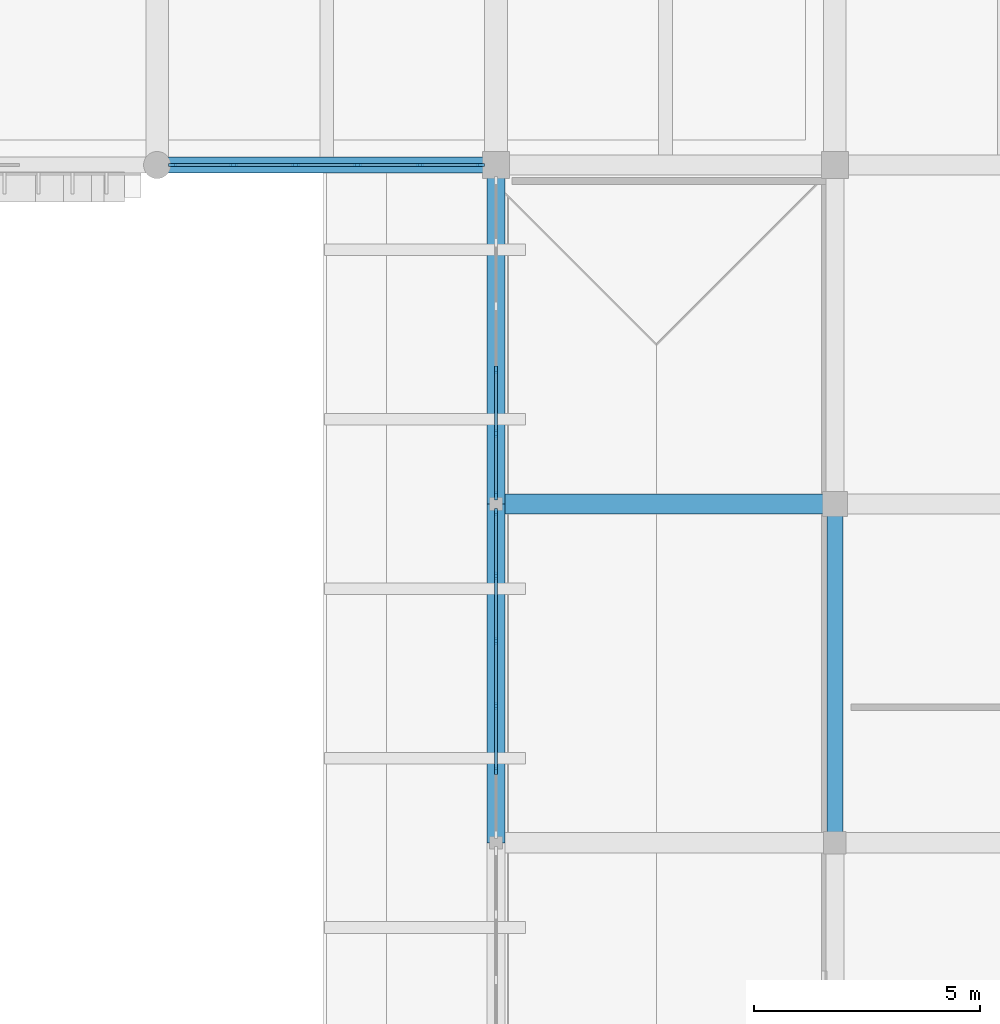
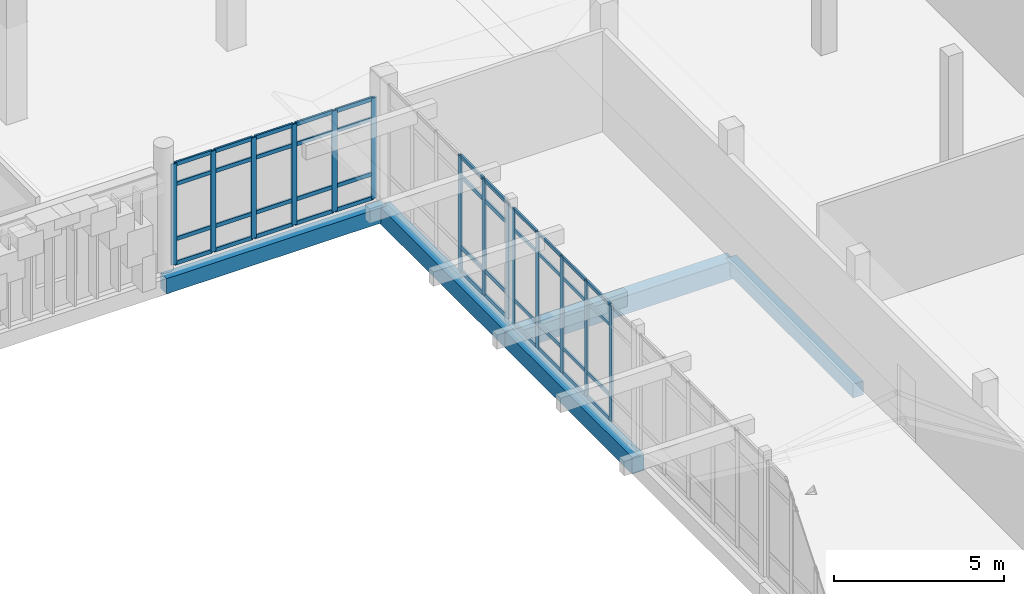
# One storey, part 65 of 128: 58 members, 5 beams, 3 elements without a shape of their own.
"""IFC4 building model written with IfcOpenShell, lengths in metres."""

from ifc_helpers import new_model, si_unit, direction, frame, origin, origin_2d, place, context, subcontext, project, spatial, rectangle, extrude, material, layer, layer_set, material_profile, profile_set, type_object, element, aggregate, save


model = new_model("IFC4")

# Units and contexts
model_context = context("Model", 3, precision=1e-05, world=origin(), true_north=direction((0.0, 1.0)))
body_context = subcontext(model_context, "Body", "Model", "MODEL_VIEW")
ifc_project = project(units=[si_unit("LENGTHUNIT", "METRE"), si_unit("AREAUNIT", "SQUARE_METRE"), si_unit("VOLUMEUNIT", "CUBIC_METRE"), si_unit("PLANEANGLEUNIT", "RADIAN"), si_unit("MASSUNIT", "GRAM", prefix="KILO")], contexts=[model_context])

# Site, building, storey
site_placement = place(None, origin())
site = spatial("IfcSite", under=ifc_project, at=site_placement, CompositionType="ELEMENT")
building_placement = place(site_placement, origin())
building = spatial("IfcBuilding", under=site, at=building_placement, Name="Dalvernix Boulevard General Hospital", CompositionType="ELEMENT")
storey_placement = place(building_placement, frame((0.0, 0.0, 4.800048828125)))
storey = spatial("IfcBuildingStorey", under=building, at=storey_placement, Name="L01", CompositionType="ELEMENT", Elevation=4.800048828125)

# Beams
ifc_material_1 = material(Name="Concrete C35/45", Category="concrete")
ifc_material_profile_1 = material_profile(ifc_material_1, rectangle(XDim=0.449951171875, YDim=0.64990234375, at=origin_2d()), Name="RCB 450x650")
ifc_profile_set_1 = profile_set([ifc_material_profile_1], Name="Concrete C35/45")
beam_type_1 = type_object("IfcBeamType", Name="BM-B-03-I", PredefinedType="BEAM", material=ifc_profile_set_1)
beam_1_placement = place(storey_placement, frame((135.0, 69.0, -0.625), z_axis=(1.0, 0.0, 0.0), x_axis=(0.0, 1.0, 0.0)))
element("IfcBeam", 1, at=beam_1_placement, inside=storey, type_object=beam_type_1, Name="L01 E-W girder K:19-20", PredefinedType="BEAM", context=body_context, shape_type="SweptSolid", body=[
    extrude(rectangle(XDim=0.449951171875, YDim=0.64990234375, at=origin_2d()), origin(), (0.0, 0.0, 1.0), 7.5),
])
ifc_material_profile_2 = material_profile(ifc_material_1, rectangle(XDim=0.35009765625, YDim=0.5, at=origin_2d()), Name="RCB 350x500")
ifc_profile_set_2 = profile_set([ifc_material_profile_2], Name="Concrete C35/45")
beam_type_2 = type_object("IfcBeamType", Name="BM-B-08-I", PredefinedType="BEAM", material=ifc_profile_set_2)
beam_2_placement = place(storey_placement, frame((142.5, 61.5, -0.550048828125), z_axis=(0.0, 1.0, 0.0), x_axis=(-1.0, 0.0, 0.0)))
element("IfcBeam", 2, at=beam_2_placement, inside=storey, type_object=beam_type_2, Name="L01 N-S girder 20:J-K", PredefinedType="BEAM", context=body_context, shape_type="SweptSolid", body=[
    extrude(rectangle(XDim=0.35009765625, YDim=0.5, at=origin_2d()), origin(), (0.0, 0.0, 1.0), 7.5),
])
ifc_material_profile_3 = material_profile(ifc_material_1, rectangle(XDim=0.35009765625, YDim=0.550048828125, at=origin_2d()), Name="RCB 350x550")
ifc_profile_set_3 = profile_set([ifc_material_profile_3], Name="Concrete C35/45")
beam_type_3 = type_object("IfcBeamType", Name="BM-SB-01-E", PredefinedType="SPANDREL", material=ifc_profile_set_3)
beam_3_placement = place(storey_placement, frame((127.5, 76.5, -0.574951171875), z_axis=(1.0, 0.0, 0.0), x_axis=(0.0, 1.0, 0.0)))
element("IfcBeam", 3, at=beam_3_placement, inside=storey, type_object=beam_type_3, Name="L01 E-W girder L:18-19", PredefinedType="SPANDREL", context=body_context, shape_type="SweptSolid", body=[
    extrude(rectangle(XDim=0.35009765625, YDim=0.550048828125, at=origin_2d()), origin(), (0.0, 0.0, 1.0), 7.5),
])
ifc_material_profile_4 = material_profile(ifc_material_1, rectangle(XDim=0.39990234375, YDim=0.60009765625, at=origin_2d()), Name="RCB 400x600")
ifc_profile_set_4 = profile_set([ifc_material_profile_4], Name="Concrete C35/45")
beam_type_4 = type_object("IfcBeamType", Name="BM-SB-02-E", PredefinedType="SPANDREL", material=ifc_profile_set_4)
for number, where, z_axis, x_axis, name in (
    (4, (135.0, 61.5, -0.60009765625), (0.0, 1.0, 0.0), (-1.0, 0.0, 0.0), "L01 N-S girder 19:J-K"),
    (5, (135.0, 69.0, -0.60009765625), (0.0, 1.0, 0.0), (-1.0, 0.0, 0.0), "L01 N-S girder 19:K-L"),
):
    element("IfcBeam", number, at=place(storey_placement, frame(where, z_axis=z_axis, x_axis=x_axis)), inside=storey, type_object=beam_type_4, Name=name, PredefinedType="SPANDREL", context=body_context, shape_type="SweptSolid", body=[
        extrude(rectangle(XDim=0.39990234375, YDim=0.60009765625, at=origin_2d()), origin(), (0.0, 0.0, 1.0), 7.5),
    ])

# Curtain wall, members
ifc_material_2 = material(Name="Thermally broken aluminium and solar-control glass curtain wall", Category="aluminium")
ifc_layer_1 = layer(ifc_material_2, 0.159912109375)
ifc_layer_set_1 = layer_set([ifc_layer_1], Name="Thermally broken aluminium and solar-control glass curtain wall (CW-CW-A-72x42)")
curtain_wall_type_1 = type_object("IfcCurtainWallType", Name="CW-CW-A-72x42", PredefinedType="USERDEFINED", material=ifc_layer_set_1)
curtain_wall_1_placement = place(storey_placement, origin())
curtain_wall_1 = element("IfcCurtainWall", 6, at=curtain_wall_1_placement, inside=storey, type_object=curtain_wall_type_1, Name="L01 curtain wall CW-A-72x42 18-8", ObjectType="GLAZED FACADE", PredefinedType="USERDEFINED")
ifc_material_3 = material(Name="Aluminium EN AW-6060", Category="aluminium")
ifc_material_profile_5 = material_profile(ifc_material_3, rectangle(XDim=0.06005859375, YDim=0.159912109375, at=origin_2d()), Name="ALU MULL 60x160")
ifc_profile_set_5 = profile_set([ifc_material_profile_5], Name="Aluminium EN AW-6060")
member_type_1 = type_object("IfcMemberType", Name="MEM-CW-M1", PredefinedType="MULLION", material=ifc_profile_set_5)
member_1_placement = place(storey_placement, frame((135.0, 63.090087890625, 0.0), z_axis=(0.0, 0.0, 1.0), x_axis=(-1.0, 0.0, 0.0)))
member_1 = element("IfcMember", 7, at=member_1_placement, type_object=member_type_1, Name="CW-A-72x42 mullion 2", PredefinedType="MULLION", context=body_context, shape_type="SweptSolid", body=[
    extrude(rectangle(XDim=0.06005859375, YDim=0.159912109375, at=origin_2d()), origin(), (0.0, 0.0, 1.0), 4.179931640625),
])
member_2_placement = place(storey_placement, frame((135.0, 64.530029296875, 0.0), z_axis=(0.0, 0.0, 1.0), x_axis=(-1.0, 0.0, 0.0)))
member_2 = element("IfcMember", 8, at=member_2_placement, type_object=member_type_1, Name="CW-A-72x42 mullion 3", PredefinedType="MULLION", context=body_context, shape_type="SweptSolid", body=[
    extrude(rectangle(XDim=0.06005859375, YDim=0.159912109375, at=origin_2d()), origin(), (0.0, 0.0, 1.0), 4.179931640625),
])
member_3_placement = place(storey_placement, frame((135.0, 65.969970703125, 0.0), z_axis=(0.0, 0.0, 1.0), x_axis=(-1.0, 0.0, 0.0)))
member_3 = element("IfcMember", 9, at=member_3_placement, type_object=member_type_1, Name="CW-A-72x42 mullion 4", PredefinedType="MULLION", context=body_context, shape_type="SweptSolid", body=[
    extrude(rectangle(XDim=0.06005859375, YDim=0.159912109375, at=origin_2d()), origin(), (0.0, 0.0, 1.0), 4.179931640625),
])
member_4_placement = place(storey_placement, frame((135.0, 67.409912109375, 0.0), z_axis=(0.0, 0.0, 1.0), x_axis=(-1.0, 0.0, 0.0)))
member_4 = element("IfcMember", 10, at=member_4_placement, type_object=member_type_1, Name="CW-A-72x42 mullion 5", PredefinedType="MULLION", context=body_context, shape_type="SweptSolid", body=[
    extrude(rectangle(XDim=0.06005859375, YDim=0.159912109375, at=origin_2d()), origin(), (0.0, 0.0, 1.0), 4.179931640625),
])
member_5_placement = place(storey_placement, frame((135.0, 68.820068359375, 0.0), z_axis=(0.0, 0.0, 1.0), x_axis=(-1.0, 0.0, 0.0)))
member_5 = element("IfcMember", 11, at=member_5_placement, type_object=member_type_1, Name="CW-A-72x42 mullion 6", PredefinedType="MULLION", context=body_context, shape_type="SweptSolid", body=[
    extrude(rectangle(XDim=0.06005859375, YDim=0.159912109375, at=origin_2d()), origin(), (0.0, 0.0, 1.0), 4.179931640625),
])

ifc_layer_2 = layer(ifc_material_2, 0.179931640625)
ifc_layer_set_2 = layer_set([ifc_layer_2], Name="Thermally broken aluminium and solar-control glass curtain wall (CW-CW-B-69x36)")
curtain_wall_type_2 = type_object("IfcCurtainWallType", Name="CW-CW-B-69x36", PredefinedType="USERDEFINED", material=ifc_layer_set_2)
curtain_wall_2_placement = place(storey_placement, origin())
curtain_wall_2 = element("IfcCurtainWall", 12, at=curtain_wall_2_placement, inside=storey, type_object=curtain_wall_type_2, Name="L01 curtain wall CW-B-69x36 17-10", ObjectType="GLAZED FACADE", PredefinedType="USERDEFINED")
ifc_material_profile_6 = material_profile(ifc_material_3, rectangle(XDim=0.06494140625, YDim=0.179931640625, at=origin_2d()), Name="ALU MULL 65x180")
ifc_profile_set_6 = profile_set([ifc_material_profile_6], Name="Aluminium EN AW-6060")
member_type_2 = type_object("IfcMemberType", Name="MEM-CW-M2", PredefinedType="MULLION", material=ifc_profile_set_6)
member_6_placement = place(storey_placement, frame((134.657470703125, 76.5, 0.0), z_axis=(0.0, 0.0, 1.0), x_axis=(0.0, -1.0, 0.0)))
member_6 = element("IfcMember", 13, at=member_6_placement, type_object=member_type_2, Name="CW-B-69x36 mullion 1", PredefinedType="MULLION", context=body_context, shape_type="SweptSolid", body=[
    extrude(rectangle(XDim=0.06494140625, YDim=0.179931640625, at=origin_2d()), origin(), (0.0, 0.0, 1.0), 3.6298828125),
])
member_7_placement = place(storey_placement, frame((133.31396484375, 76.5, 0.0), z_axis=(0.0, 0.0, 1.0), x_axis=(0.0, -1.0, 0.0)))
member_7 = element("IfcMember", 14, at=member_7_placement, type_object=member_type_2, Name="CW-B-69x36 mullion 2", PredefinedType="MULLION", context=body_context, shape_type="SweptSolid", body=[
    extrude(rectangle(XDim=0.06494140625, YDim=0.179931640625, at=origin_2d()), origin(), (0.0, 0.0, 1.0), 3.6298828125),
])
member_8_placement = place(storey_placement, frame((131.93798828125, 76.5, 0.0), z_axis=(0.0, 0.0, 1.0), x_axis=(0.0, -1.0, 0.0)))
member_8 = element("IfcMember", 15, at=member_8_placement, type_object=member_type_2, Name="CW-B-69x36 mullion 3", PredefinedType="MULLION", context=body_context, shape_type="SweptSolid", body=[
    extrude(rectangle(XDim=0.06494140625, YDim=0.179931640625, at=origin_2d()), origin(), (0.0, 0.0, 1.0), 3.6298828125),
])
member_9_placement = place(storey_placement, frame((130.56201171875, 76.5, 0.0), z_axis=(0.0, 0.0, 1.0), x_axis=(0.0, -1.0, 0.0)))
member_9 = element("IfcMember", 16, at=member_9_placement, type_object=member_type_2, Name="CW-B-69x36 mullion 4", PredefinedType="MULLION", context=body_context, shape_type="SweptSolid", body=[
    extrude(rectangle(XDim=0.06494140625, YDim=0.179931640625, at=origin_2d()), origin(), (0.0, 0.0, 1.0), 3.6298828125),
])
member_10_placement = place(storey_placement, frame((129.18603515625, 76.5, 0.0), z_axis=(0.0, 0.0, 1.0), x_axis=(0.0, -1.0, 0.0)))
member_10 = element("IfcMember", 17, at=member_10_placement, type_object=member_type_2, Name="CW-B-69x36 mullion 5", PredefinedType="MULLION", context=body_context, shape_type="SweptSolid", body=[
    extrude(rectangle(XDim=0.06494140625, YDim=0.179931640625, at=origin_2d()), origin(), (0.0, 0.0, 1.0), 3.6298828125),
])
member_11_placement = place(storey_placement, frame((127.842529296875, 76.5, 0.0), z_axis=(0.0, 0.0, 1.0), x_axis=(0.0, -1.0, 0.0)))
member_11 = element("IfcMember", 18, at=member_11_placement, type_object=member_type_2, Name="CW-B-69x36 mullion 6", PredefinedType="MULLION", context=body_context, shape_type="SweptSolid", body=[
    extrude(rectangle(XDim=0.06494140625, YDim=0.179931640625, at=origin_2d()), origin(), (0.0, 0.0, 1.0), 3.6298828125),
])

ifc_layer_3 = layer(ifc_material_2, 0.179931640625)
ifc_layer_set_3 = layer_set([ifc_layer_3], Name="Thermally broken aluminium and solar-control glass curtain wall (CW-CW-B-70x42)")
curtain_wall_type_3 = type_object("IfcCurtainWallType", Name="CW-CW-B-70x42", PredefinedType="USERDEFINED", material=ifc_layer_set_3)
curtain_wall_3_placement = place(storey_placement, origin())
curtain_wall_3 = element("IfcCurtainWall", 19, at=curtain_wall_3_placement, inside=storey, type_object=curtain_wall_type_3, Name="L01 curtain wall CW-B-70x42 18-9", ObjectType="GLAZED FACADE", PredefinedType="USERDEFINED")
member_12_placement = place(storey_placement, frame((135.0, 69.1826171875, 0.0), z_axis=(0.0, 0.0, 1.0), x_axis=(-1.0, 0.0, 0.0)))
member_12 = element("IfcMember", 20, at=member_12_placement, type_object=member_type_2, Name="CW-B-70x42 mullion 1", PredefinedType="MULLION", context=body_context, shape_type="SweptSolid", body=[
    extrude(rectangle(XDim=0.06494140625, YDim=0.179931640625, at=origin_2d()), origin(), (0.0, 0.0, 1.0), 4.179931640625),
])
member_13_placement = place(storey_placement, frame((135.0, 70.55810546875, 0.0), z_axis=(0.0, 0.0, 1.0), x_axis=(-1.0, 0.0, 0.0)))
member_13 = element("IfcMember", 21, at=member_13_placement, type_object=member_type_2, Name="CW-B-70x42 mullion 2", PredefinedType="MULLION", context=body_context, shape_type="SweptSolid", body=[
    extrude(rectangle(XDim=0.06494140625, YDim=0.179931640625, at=origin_2d()), origin(), (0.0, 0.0, 1.0), 4.179931640625),
])
member_14_placement = place(storey_placement, frame((135.0, 71.966064453125, 0.0), z_axis=(0.0, 0.0, 1.0), x_axis=(-1.0, 0.0, 0.0)))
member_14 = element("IfcMember", 22, at=member_14_placement, type_object=member_type_2, Name="CW-B-70x42 mullion 3", PredefinedType="MULLION", context=body_context, shape_type="SweptSolid", body=[
    extrude(rectangle(XDim=0.06494140625, YDim=0.179931640625, at=origin_2d()), origin(), (0.0, 0.0, 1.0), 4.179931640625),
])

# Member
ifc_material_profile_7 = material_profile(ifc_material_3, rectangle(XDim=0.06005859375, YDim=0.1201171875, at=origin_2d()), Name="ALU TRAN 60x120")
ifc_profile_set_7 = profile_set([ifc_material_profile_7], Name="Aluminium EN AW-6060")
member_type_3 = type_object("IfcMemberType", Name="MEM-CW-T1", PredefinedType="USERDEFINED", material=ifc_profile_set_7)
member_15_placement = place(storey_placement, frame((135.0, 63.1201171875, 0.030029296875), z_axis=(0.0, 1.0, 0.0), x_axis=(-1.0, 0.0, 0.0)))
member_15 = element("IfcMember", 23, at=member_15_placement, type_object=member_type_3, Name="CW-A-72x42 transom 2.1", ObjectType="TRANSOM", PredefinedType="USERDEFINED", context=body_context, shape_type="SweptSolid", body=[
    extrude(rectangle(XDim=0.06005859375, YDim=0.1201171875, at=origin_2d()), origin(), (0.0, 0.0, 1.0), 1.3798828125),
])

member_16_placement = place(storey_placement, frame((135.0, 63.1201171875, 0.89990234375), z_axis=(0.0, 1.0, 0.0), x_axis=(-1.0, 0.0, 0.0)))
member_16 = element("IfcMember", 24, at=member_16_placement, type_object=member_type_3, Name="CW-A-72x42 transom 2.2", ObjectType="TRANSOM", PredefinedType="USERDEFINED", context=body_context, shape_type="SweptSolid", body=[
    extrude(rectangle(XDim=0.06005859375, YDim=0.1201171875, at=origin_2d()), origin(), (0.0, 0.0, 1.0), 1.3798828125),
])

member_17_placement = place(storey_placement, frame((135.0, 63.1201171875, 3.429931640625), z_axis=(0.0, 1.0, 0.0), x_axis=(-1.0, 0.0, 0.0)))
member_17 = element("IfcMember", 25, at=member_17_placement, type_object=member_type_3, Name="CW-A-72x42 transom 2.3", ObjectType="TRANSOM", PredefinedType="USERDEFINED", context=body_context, shape_type="SweptSolid", body=[
    extrude(rectangle(XDim=0.06005859375, YDim=0.1201171875, at=origin_2d()), origin(), (0.0, 0.0, 1.0), 1.3798828125),
])

member_18_placement = place(storey_placement, frame((135.0, 63.1201171875, 4.14990234375), z_axis=(0.0, 1.0, 0.0), x_axis=(-1.0, 0.0, 0.0)))
member_18 = element("IfcMember", 26, at=member_18_placement, type_object=member_type_3, Name="CW-A-72x42 transom 2.4", ObjectType="TRANSOM", PredefinedType="USERDEFINED", context=body_context, shape_type="SweptSolid", body=[
    extrude(rectangle(XDim=0.06005859375, YDim=0.1201171875, at=origin_2d()), origin(), (0.0, 0.0, 1.0), 1.3798828125),
])

member_19_placement = place(storey_placement, frame((135.0, 64.56005859375, 0.030029296875), z_axis=(0.0, 1.0, 0.0), x_axis=(-1.0, 0.0, 0.0)))
member_19 = element("IfcMember", 27, at=member_19_placement, type_object=member_type_3, Name="CW-A-72x42 transom 3.1", ObjectType="TRANSOM", PredefinedType="USERDEFINED", context=body_context, shape_type="SweptSolid", body=[
    extrude(rectangle(XDim=0.06005859375, YDim=0.1201171875, at=origin_2d()), origin(), (0.0, 0.0, 1.0), 1.3798828125),
])

member_20_placement = place(storey_placement, frame((135.0, 64.56005859375, 0.89990234375), z_axis=(0.0, 1.0, 0.0), x_axis=(-1.0, 0.0, 0.0)))
member_20 = element("IfcMember", 28, at=member_20_placement, type_object=member_type_3, Name="CW-A-72x42 transom 3.2", ObjectType="TRANSOM", PredefinedType="USERDEFINED", context=body_context, shape_type="SweptSolid", body=[
    extrude(rectangle(XDim=0.06005859375, YDim=0.1201171875, at=origin_2d()), origin(), (0.0, 0.0, 1.0), 1.3798828125),
])

member_21_placement = place(storey_placement, frame((135.0, 64.56005859375, 3.429931640625), z_axis=(0.0, 1.0, 0.0), x_axis=(-1.0, 0.0, 0.0)))
member_21 = element("IfcMember", 29, at=member_21_placement, type_object=member_type_3, Name="CW-A-72x42 transom 3.3", ObjectType="TRANSOM", PredefinedType="USERDEFINED", context=body_context, shape_type="SweptSolid", body=[
    extrude(rectangle(XDim=0.06005859375, YDim=0.1201171875, at=origin_2d()), origin(), (0.0, 0.0, 1.0), 1.3798828125),
])

member_22_placement = place(storey_placement, frame((135.0, 64.56005859375, 4.14990234375), z_axis=(0.0, 1.0, 0.0), x_axis=(-1.0, 0.0, 0.0)))
member_22 = element("IfcMember", 30, at=member_22_placement, type_object=member_type_3, Name="CW-A-72x42 transom 3.4", ObjectType="TRANSOM", PredefinedType="USERDEFINED", context=body_context, shape_type="SweptSolid", body=[
    extrude(rectangle(XDim=0.06005859375, YDim=0.1201171875, at=origin_2d()), origin(), (0.0, 0.0, 1.0), 1.3798828125),
])

member_23_placement = place(storey_placement, frame((135.0, 66.0, 0.030029296875), z_axis=(0.0, 1.0, 0.0), x_axis=(-1.0, 0.0, 0.0)))
member_23 = element("IfcMember", 31, at=member_23_placement, type_object=member_type_3, Name="CW-A-72x42 transom 4.1", ObjectType="TRANSOM", PredefinedType="USERDEFINED", context=body_context, shape_type="SweptSolid", body=[
    extrude(rectangle(XDim=0.06005859375, YDim=0.1201171875, at=origin_2d()), origin(), (0.0, 0.0, 1.0), 1.3798828125),
])

member_24_placement = place(storey_placement, frame((135.0, 66.0, 0.89990234375), z_axis=(0.0, 1.0, 0.0), x_axis=(-1.0, 0.0, 0.0)))
member_24 = element("IfcMember", 32, at=member_24_placement, type_object=member_type_3, Name="CW-A-72x42 transom 4.2", ObjectType="TRANSOM", PredefinedType="USERDEFINED", context=body_context, shape_type="SweptSolid", body=[
    extrude(rectangle(XDim=0.06005859375, YDim=0.1201171875, at=origin_2d()), origin(), (0.0, 0.0, 1.0), 1.3798828125),
])

member_25_placement = place(storey_placement, frame((135.0, 66.0, 3.429931640625), z_axis=(0.0, 1.0, 0.0), x_axis=(-1.0, 0.0, 0.0)))
member_25 = element("IfcMember", 33, at=member_25_placement, type_object=member_type_3, Name="CW-A-72x42 transom 4.3", ObjectType="TRANSOM", PredefinedType="USERDEFINED", context=body_context, shape_type="SweptSolid", body=[
    extrude(rectangle(XDim=0.06005859375, YDim=0.1201171875, at=origin_2d()), origin(), (0.0, 0.0, 1.0), 1.3798828125),
])

member_26_placement = place(storey_placement, frame((135.0, 66.0, 4.14990234375), z_axis=(0.0, 1.0, 0.0), x_axis=(-1.0, 0.0, 0.0)))
member_26 = element("IfcMember", 34, at=member_26_placement, type_object=member_type_3, Name="CW-A-72x42 transom 4.4", ObjectType="TRANSOM", PredefinedType="USERDEFINED", context=body_context, shape_type="SweptSolid", body=[
    extrude(rectangle(XDim=0.06005859375, YDim=0.1201171875, at=origin_2d()), origin(), (0.0, 0.0, 1.0), 1.3798828125),
])

member_27_placement = place(storey_placement, frame((135.0, 67.43994140625, 0.030029296875), z_axis=(0.0, 1.0, 0.0), x_axis=(-1.0, 0.0, 0.0)))
member_27 = element("IfcMember", 35, at=member_27_placement, type_object=member_type_3, Name="CW-A-72x42 transom 5.1", ObjectType="TRANSOM", PredefinedType="USERDEFINED", context=body_context, shape_type="SweptSolid", body=[
    extrude(rectangle(XDim=0.06005859375, YDim=0.1201171875, at=origin_2d()), origin(), (0.0, 0.0, 1.0), 1.35009765625),
])

member_28_placement = place(storey_placement, frame((135.0, 67.43994140625, 0.89990234375), z_axis=(0.0, 1.0, 0.0), x_axis=(-1.0, 0.0, 0.0)))
member_28 = element("IfcMember", 36, at=member_28_placement, type_object=member_type_3, Name="CW-A-72x42 transom 5.2", ObjectType="TRANSOM", PredefinedType="USERDEFINED", context=body_context, shape_type="SweptSolid", body=[
    extrude(rectangle(XDim=0.06005859375, YDim=0.1201171875, at=origin_2d()), origin(), (0.0, 0.0, 1.0), 1.35009765625),
])

member_29_placement = place(storey_placement, frame((135.0, 67.43994140625, 3.429931640625), z_axis=(0.0, 1.0, 0.0), x_axis=(-1.0, 0.0, 0.0)))
member_29 = element("IfcMember", 37, at=member_29_placement, type_object=member_type_3, Name="CW-A-72x42 transom 5.3", ObjectType="TRANSOM", PredefinedType="USERDEFINED", context=body_context, shape_type="SweptSolid", body=[
    extrude(rectangle(XDim=0.06005859375, YDim=0.1201171875, at=origin_2d()), origin(), (0.0, 0.0, 1.0), 1.35009765625),
])

member_30_placement = place(storey_placement, frame((135.0, 67.43994140625, 4.14990234375), z_axis=(0.0, 1.0, 0.0), x_axis=(-1.0, 0.0, 0.0)))
member_30 = element("IfcMember", 38, at=member_30_placement, type_object=member_type_3, Name="CW-A-72x42 transom 5.4", ObjectType="TRANSOM", PredefinedType="USERDEFINED", context=body_context, shape_type="SweptSolid", body=[
    extrude(rectangle(XDim=0.06005859375, YDim=0.1201171875, at=origin_2d()), origin(), (0.0, 0.0, 1.0), 1.35009765625),
])

aggregate(curtain_wall_1, [member_1, member_2, member_3, member_4, member_5, member_15, member_16, member_17, member_18, member_19, member_20, member_21, member_22, member_23, member_24, member_25, member_26, member_27, member_28, member_29, member_30])

ifc_material_profile_8 = material_profile(ifc_material_3, rectangle(XDim=0.06494140625, YDim=0.139892578125, at=origin_2d()), Name="ALU TRAN 65x140")
ifc_profile_set_8 = profile_set([ifc_material_profile_8], Name="Aluminium EN AW-6060")
member_type_4 = type_object("IfcMemberType", Name="MEM-CW-T2", PredefinedType="USERDEFINED", material=ifc_profile_set_8)
member_31_placement = place(storey_placement, frame((134.625, 76.5, 0.032470703125), z_axis=(-1.0, 0.0, 0.0), x_axis=(0.0, -1.0, 0.0)))
member_31 = element("IfcMember", 39, at=member_31_placement, type_object=member_type_4, Name="CW-B-69x36 transom 1.1", ObjectType="TRANSOM", PredefinedType="USERDEFINED", context=body_context, shape_type="SweptSolid", body=[
    extrude(rectangle(XDim=0.06494140625, YDim=0.139892578125, at=origin_2d()), origin(), (0.0, 0.0, 1.0), 1.278564453125),
])

member_32_placement = place(storey_placement, frame((134.625, 76.5, 0.89990234375), z_axis=(-1.0, 0.0, 0.0), x_axis=(0.0, -1.0, 0.0)))
member_32 = element("IfcMember", 40, at=member_32_placement, type_object=member_type_4, Name="CW-B-69x36 transom 1.2", ObjectType="TRANSOM", PredefinedType="USERDEFINED", context=body_context, shape_type="SweptSolid", body=[
    extrude(rectangle(XDim=0.06494140625, YDim=0.139892578125, at=origin_2d()), origin(), (0.0, 0.0, 1.0), 1.278564453125),
])

member_33_placement = place(storey_placement, frame((134.625, 76.5, 2.8798828125), z_axis=(-1.0, 0.0, 0.0), x_axis=(0.0, -1.0, 0.0)))
member_33 = element("IfcMember", 41, at=member_33_placement, type_object=member_type_4, Name="CW-B-69x36 transom 1.3", ObjectType="TRANSOM", PredefinedType="USERDEFINED", context=body_context, shape_type="SweptSolid", body=[
    extrude(rectangle(XDim=0.06494140625, YDim=0.139892578125, at=origin_2d()), origin(), (0.0, 0.0, 1.0), 1.278564453125),
])

member_34_placement = place(storey_placement, frame((134.625, 76.5, 3.597412109375), z_axis=(-1.0, 0.0, 0.0), x_axis=(0.0, -1.0, 0.0)))
member_34 = element("IfcMember", 42, at=member_34_placement, type_object=member_type_4, Name="CW-B-69x36 transom 1.4", ObjectType="TRANSOM", PredefinedType="USERDEFINED", context=body_context, shape_type="SweptSolid", body=[
    extrude(rectangle(XDim=0.06494140625, YDim=0.139892578125, at=origin_2d()), origin(), (0.0, 0.0, 1.0), 1.278564453125),
])

member_35_placement = place(storey_placement, frame((133.281494140625, 76.5, 0.032470703125), z_axis=(-1.0, 0.0, 0.0), x_axis=(0.0, -1.0, 0.0)))
member_35 = element("IfcMember", 43, at=member_35_placement, type_object=member_type_4, Name="CW-B-69x36 transom 2.1", ObjectType="TRANSOM", PredefinedType="USERDEFINED", context=body_context, shape_type="SweptSolid", body=[
    extrude(rectangle(XDim=0.06494140625, YDim=0.139892578125, at=origin_2d()), origin(), (0.0, 0.0, 1.0), 1.31103515625),
])

member_36_placement = place(storey_placement, frame((133.281494140625, 76.5, 0.89990234375), z_axis=(-1.0, 0.0, 0.0), x_axis=(0.0, -1.0, 0.0)))
member_36 = element("IfcMember", 44, at=member_36_placement, type_object=member_type_4, Name="CW-B-69x36 transom 2.2", ObjectType="TRANSOM", PredefinedType="USERDEFINED", context=body_context, shape_type="SweptSolid", body=[
    extrude(rectangle(XDim=0.06494140625, YDim=0.139892578125, at=origin_2d()), origin(), (0.0, 0.0, 1.0), 1.31103515625),
])

member_37_placement = place(storey_placement, frame((133.281494140625, 76.5, 2.8798828125), z_axis=(-1.0, 0.0, 0.0), x_axis=(0.0, -1.0, 0.0)))
member_37 = element("IfcMember", 45, at=member_37_placement, type_object=member_type_4, Name="CW-B-69x36 transom 2.3", ObjectType="TRANSOM", PredefinedType="USERDEFINED", context=body_context, shape_type="SweptSolid", body=[
    extrude(rectangle(XDim=0.06494140625, YDim=0.139892578125, at=origin_2d()), origin(), (0.0, 0.0, 1.0), 1.31103515625),
])

member_38_placement = place(storey_placement, frame((133.281494140625, 76.5, 3.597412109375), z_axis=(-1.0, 0.0, 0.0), x_axis=(0.0, -1.0, 0.0)))
member_38 = element("IfcMember", 46, at=member_38_placement, type_object=member_type_4, Name="CW-B-69x36 transom 2.4", ObjectType="TRANSOM", PredefinedType="USERDEFINED", context=body_context, shape_type="SweptSolid", body=[
    extrude(rectangle(XDim=0.06494140625, YDim=0.139892578125, at=origin_2d()), origin(), (0.0, 0.0, 1.0), 1.31103515625),
])

member_39_placement = place(storey_placement, frame((131.905517578125, 76.5, 0.032470703125), z_axis=(-1.0, 0.0, 0.0), x_axis=(0.0, -1.0, 0.0)))
member_39 = element("IfcMember", 47, at=member_39_placement, type_object=member_type_4, Name="CW-B-69x36 transom 3.1", ObjectType="TRANSOM", PredefinedType="USERDEFINED", context=body_context, shape_type="SweptSolid", body=[
    extrude(rectangle(XDim=0.06494140625, YDim=0.139892578125, at=origin_2d()), origin(), (0.0, 0.0, 1.0), 1.31103515625),
])

member_40_placement = place(storey_placement, frame((131.905517578125, 76.5, 0.89990234375), z_axis=(-1.0, 0.0, 0.0), x_axis=(0.0, -1.0, 0.0)))
member_40 = element("IfcMember", 48, at=member_40_placement, type_object=member_type_4, Name="CW-B-69x36 transom 3.2", ObjectType="TRANSOM", PredefinedType="USERDEFINED", context=body_context, shape_type="SweptSolid", body=[
    extrude(rectangle(XDim=0.06494140625, YDim=0.139892578125, at=origin_2d()), origin(), (0.0, 0.0, 1.0), 1.31103515625),
])

member_41_placement = place(storey_placement, frame((131.905517578125, 76.5, 2.8798828125), z_axis=(-1.0, 0.0, 0.0), x_axis=(0.0, -1.0, 0.0)))
member_41 = element("IfcMember", 49, at=member_41_placement, type_object=member_type_4, Name="CW-B-69x36 transom 3.3", ObjectType="TRANSOM", PredefinedType="USERDEFINED", context=body_context, shape_type="SweptSolid", body=[
    extrude(rectangle(XDim=0.06494140625, YDim=0.139892578125, at=origin_2d()), origin(), (0.0, 0.0, 1.0), 1.31103515625),
])

member_42_placement = place(storey_placement, frame((131.905517578125, 76.5, 3.597412109375), z_axis=(-1.0, 0.0, 0.0), x_axis=(0.0, -1.0, 0.0)))
member_42 = element("IfcMember", 50, at=member_42_placement, type_object=member_type_4, Name="CW-B-69x36 transom 3.4", ObjectType="TRANSOM", PredefinedType="USERDEFINED", context=body_context, shape_type="SweptSolid", body=[
    extrude(rectangle(XDim=0.06494140625, YDim=0.139892578125, at=origin_2d()), origin(), (0.0, 0.0, 1.0), 1.31103515625),
])

member_43_placement = place(storey_placement, frame((130.529541015625, 76.5, 0.032470703125), z_axis=(-1.0, 0.0, 0.0), x_axis=(0.0, -1.0, 0.0)))
member_43 = element("IfcMember", 51, at=member_43_placement, type_object=member_type_4, Name="CW-B-69x36 transom 4.1", ObjectType="TRANSOM", PredefinedType="USERDEFINED", context=body_context, shape_type="SweptSolid", body=[
    extrude(rectangle(XDim=0.06494140625, YDim=0.139892578125, at=origin_2d()), origin(), (0.0, 0.0, 1.0), 1.31103515625),
])

member_44_placement = place(storey_placement, frame((130.529541015625, 76.5, 0.89990234375), z_axis=(-1.0, 0.0, 0.0), x_axis=(0.0, -1.0, 0.0)))
member_44 = element("IfcMember", 52, at=member_44_placement, type_object=member_type_4, Name="CW-B-69x36 transom 4.2", ObjectType="TRANSOM", PredefinedType="USERDEFINED", context=body_context, shape_type="SweptSolid", body=[
    extrude(rectangle(XDim=0.06494140625, YDim=0.139892578125, at=origin_2d()), origin(), (0.0, 0.0, 1.0), 1.31103515625),
])

member_45_placement = place(storey_placement, frame((130.529541015625, 76.5, 2.8798828125), z_axis=(-1.0, 0.0, 0.0), x_axis=(0.0, -1.0, 0.0)))
member_45 = element("IfcMember", 53, at=member_45_placement, type_object=member_type_4, Name="CW-B-69x36 transom 4.3", ObjectType="TRANSOM", PredefinedType="USERDEFINED", context=body_context, shape_type="SweptSolid", body=[
    extrude(rectangle(XDim=0.06494140625, YDim=0.139892578125, at=origin_2d()), origin(), (0.0, 0.0, 1.0), 1.31103515625),
])

member_46_placement = place(storey_placement, frame((130.529541015625, 76.5, 3.597412109375), z_axis=(-1.0, 0.0, 0.0), x_axis=(0.0, -1.0, 0.0)))
member_46 = element("IfcMember", 54, at=member_46_placement, type_object=member_type_4, Name="CW-B-69x36 transom 4.4", ObjectType="TRANSOM", PredefinedType="USERDEFINED", context=body_context, shape_type="SweptSolid", body=[
    extrude(rectangle(XDim=0.06494140625, YDim=0.139892578125, at=origin_2d()), origin(), (0.0, 0.0, 1.0), 1.31103515625),
])

member_47_placement = place(storey_placement, frame((129.153564453125, 76.5, 0.032470703125), z_axis=(-1.0, 0.0, 0.0), x_axis=(0.0, -1.0, 0.0)))
member_47 = element("IfcMember", 55, at=member_47_placement, type_object=member_type_4, Name="CW-B-69x36 transom 5.1", ObjectType="TRANSOM", PredefinedType="USERDEFINED", context=body_context, shape_type="SweptSolid", body=[
    extrude(rectangle(XDim=0.06494140625, YDim=0.139892578125, at=origin_2d()), origin(), (0.0, 0.0, 1.0), 1.278564453125),
])

member_48_placement = place(storey_placement, frame((129.153564453125, 76.5, 0.89990234375), z_axis=(-1.0, 0.0, 0.0), x_axis=(0.0, -1.0, 0.0)))
member_48 = element("IfcMember", 56, at=member_48_placement, type_object=member_type_4, Name="CW-B-69x36 transom 5.2", ObjectType="TRANSOM", PredefinedType="USERDEFINED", context=body_context, shape_type="SweptSolid", body=[
    extrude(rectangle(XDim=0.06494140625, YDim=0.139892578125, at=origin_2d()), origin(), (0.0, 0.0, 1.0), 1.278564453125),
])

member_49_placement = place(storey_placement, frame((129.153564453125, 76.5, 2.8798828125), z_axis=(-1.0, 0.0, 0.0), x_axis=(0.0, -1.0, 0.0)))
member_49 = element("IfcMember", 57, at=member_49_placement, type_object=member_type_4, Name="CW-B-69x36 transom 5.3", ObjectType="TRANSOM", PredefinedType="USERDEFINED", context=body_context, shape_type="SweptSolid", body=[
    extrude(rectangle(XDim=0.06494140625, YDim=0.139892578125, at=origin_2d()), origin(), (0.0, 0.0, 1.0), 1.278564453125),
])

member_50_placement = place(storey_placement, frame((129.153564453125, 76.5, 3.597412109375), z_axis=(-1.0, 0.0, 0.0), x_axis=(0.0, -1.0, 0.0)))
member_50 = element("IfcMember", 58, at=member_50_placement, type_object=member_type_4, Name="CW-B-69x36 transom 5.4", ObjectType="TRANSOM", PredefinedType="USERDEFINED", context=body_context, shape_type="SweptSolid", body=[
    extrude(rectangle(XDim=0.06494140625, YDim=0.139892578125, at=origin_2d()), origin(), (0.0, 0.0, 1.0), 1.278564453125),
])

aggregate(curtain_wall_2, [member_6, member_7, member_8, member_9, member_10, member_11, member_31, member_32, member_33, member_34, member_35, member_36, member_37, member_38, member_39, member_40, member_41, member_42, member_43, member_44, member_45, member_46, member_47, member_48, member_49, member_50])

member_51_placement = place(storey_placement, frame((135.0, 69.215087890625, 0.032470703125), z_axis=(0.0, 1.0, 0.0), x_axis=(-1.0, 0.0, 0.0)))
member_51 = element("IfcMember", 59, at=member_51_placement, type_object=member_type_4, Name="CW-B-70x42 transom 1.1", ObjectType="TRANSOM", PredefinedType="USERDEFINED", context=body_context, shape_type="SweptSolid", body=[
    extrude(rectangle(XDim=0.06494140625, YDim=0.139892578125, at=origin_2d()), origin(), (0.0, 0.0, 1.0), 1.310302734375),
])

member_52_placement = place(storey_placement, frame((135.0, 69.215087890625, 0.89990234375), z_axis=(0.0, 1.0, 0.0), x_axis=(-1.0, 0.0, 0.0)))
member_52 = element("IfcMember", 60, at=member_52_placement, type_object=member_type_4, Name="CW-B-70x42 transom 1.2", ObjectType="TRANSOM", PredefinedType="USERDEFINED", context=body_context, shape_type="SweptSolid", body=[
    extrude(rectangle(XDim=0.06494140625, YDim=0.139892578125, at=origin_2d()), origin(), (0.0, 0.0, 1.0), 1.310302734375),
])

member_53_placement = place(storey_placement, frame((135.0, 69.215087890625, 3.429931640625), z_axis=(0.0, 1.0, 0.0), x_axis=(-1.0, 0.0, 0.0)))
member_53 = element("IfcMember", 61, at=member_53_placement, type_object=member_type_4, Name="CW-B-70x42 transom 1.3", ObjectType="TRANSOM", PredefinedType="USERDEFINED", context=body_context, shape_type="SweptSolid", body=[
    extrude(rectangle(XDim=0.06494140625, YDim=0.139892578125, at=origin_2d()), origin(), (0.0, 0.0, 1.0), 1.310302734375),
])

member_54_placement = place(storey_placement, frame((135.0, 69.215087890625, 4.1474609375), z_axis=(0.0, 1.0, 0.0), x_axis=(-1.0, 0.0, 0.0)))
member_54 = element("IfcMember", 62, at=member_54_placement, type_object=member_type_4, Name="CW-B-70x42 transom 1.4", ObjectType="TRANSOM", PredefinedType="USERDEFINED", context=body_context, shape_type="SweptSolid", body=[
    extrude(rectangle(XDim=0.06494140625, YDim=0.139892578125, at=origin_2d()), origin(), (0.0, 0.0, 1.0), 1.310302734375),
])

member_55_placement = place(storey_placement, frame((135.0, 70.590576171875, 0.032470703125), z_axis=(0.0, 1.0, 0.0), x_axis=(-1.0, 0.0, 0.0)))
member_55 = element("IfcMember", 63, at=member_55_placement, type_object=member_type_4, Name="CW-B-70x42 transom 2.1", ObjectType="TRANSOM", PredefinedType="USERDEFINED", context=body_context, shape_type="SweptSolid", body=[
    extrude(rectangle(XDim=0.06494140625, YDim=0.139892578125, at=origin_2d()), origin(), (0.0, 0.0, 1.0), 1.343017578125),
])

member_56_placement = place(storey_placement, frame((135.0, 70.590576171875, 0.89990234375), z_axis=(0.0, 1.0, 0.0), x_axis=(-1.0, 0.0, 0.0)))
member_56 = element("IfcMember", 64, at=member_56_placement, type_object=member_type_4, Name="CW-B-70x42 transom 2.2", ObjectType="TRANSOM", PredefinedType="USERDEFINED", context=body_context, shape_type="SweptSolid", body=[
    extrude(rectangle(XDim=0.06494140625, YDim=0.139892578125, at=origin_2d()), origin(), (0.0, 0.0, 1.0), 1.343017578125),
])

member_57_placement = place(storey_placement, frame((135.0, 70.590576171875, 3.429931640625), z_axis=(0.0, 1.0, 0.0), x_axis=(-1.0, 0.0, 0.0)))
member_57 = element("IfcMember", 65, at=member_57_placement, type_object=member_type_4, Name="CW-B-70x42 transom 2.3", ObjectType="TRANSOM", PredefinedType="USERDEFINED", context=body_context, shape_type="SweptSolid", body=[
    extrude(rectangle(XDim=0.06494140625, YDim=0.139892578125, at=origin_2d()), origin(), (0.0, 0.0, 1.0), 1.343017578125),
])

member_58_placement = place(storey_placement, frame((135.0, 70.590576171875, 4.1474609375), z_axis=(0.0, 1.0, 0.0), x_axis=(-1.0, 0.0, 0.0)))
member_58 = element("IfcMember", 66, at=member_58_placement, type_object=member_type_4, Name="CW-B-70x42 transom 2.4", ObjectType="TRANSOM", PredefinedType="USERDEFINED", context=body_context, shape_type="SweptSolid", body=[
    extrude(rectangle(XDim=0.06494140625, YDim=0.139892578125, at=origin_2d()), origin(), (0.0, 0.0, 1.0), 1.343017578125),
])

aggregate(curtain_wall_3, [member_12, member_13, member_14, member_51, member_52, member_53, member_54, member_55, member_56, member_57, member_58])

save(model, "model.ifc")
